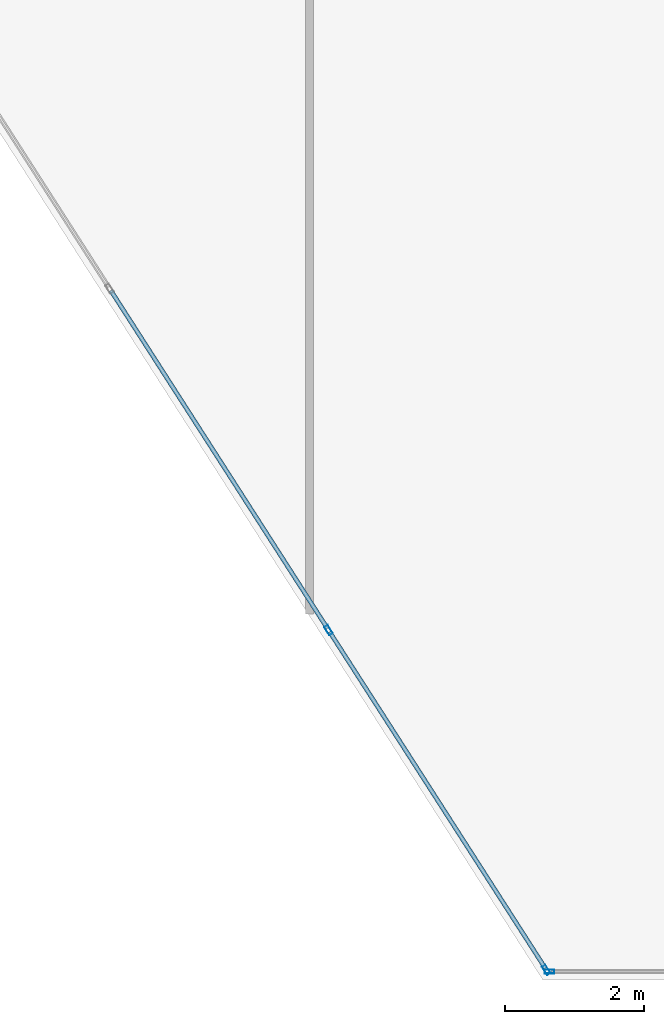
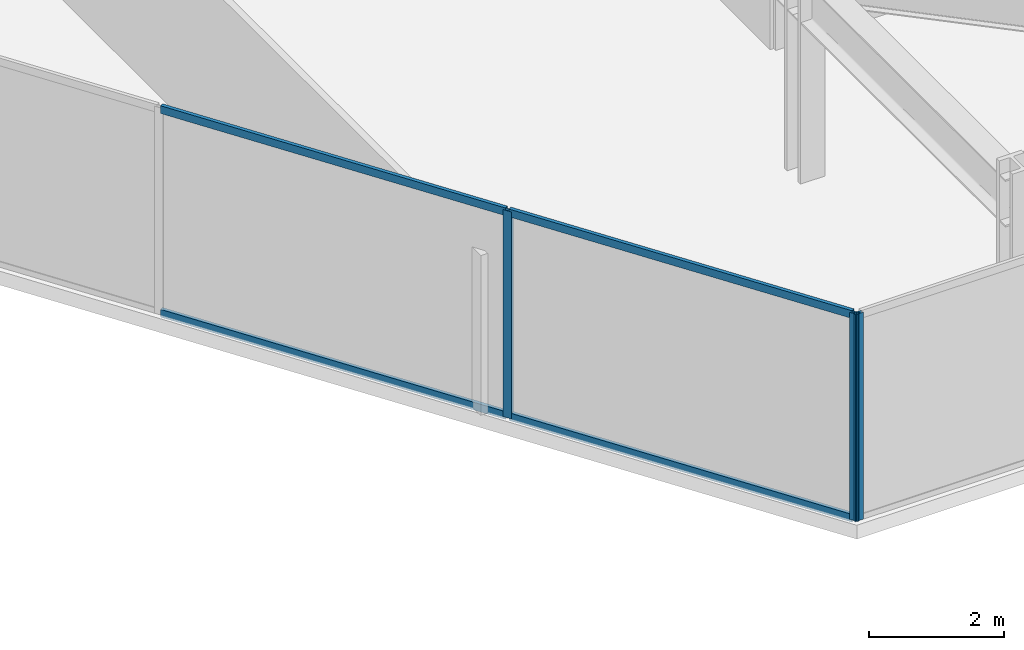
# One storey, part 15 of 26: 7 members, 2 elements without a shape of their own.
"""IFC4 building model written with IfcOpenShell, lengths in metres."""

from ifc_helpers import new_model, si_unit, direction, frame, origin, origin_2d, place, context, subcontext, project, spatial, hollow_rectangle, extrude, material, layer, layer_set, material_profile, profile_set, type_object, element, aggregate, save


model = new_model("IFC4")

# Units and contexts
model_context = context("Model", 3, precision=1e-05, world=origin(), true_north=direction((0.0, 1.0)))
body_context = subcontext(model_context, "Body", "Model", "MODEL_VIEW")
ifc_project = project(units=[si_unit("LENGTHUNIT", "METRE"), si_unit("AREAUNIT", "SQUARE_METRE"), si_unit("VOLUMEUNIT", "CUBIC_METRE"), si_unit("PLANEANGLEUNIT", "RADIAN"), si_unit("MASSUNIT", "GRAM", prefix="KILO")], contexts=[model_context])

# Site, building, storey
site_placement = place(None, origin())
site = spatial("IfcSite", under=ifc_project, at=site_placement, CompositionType="ELEMENT")
building_placement = place(site_placement, origin())
building = spatial("IfcBuilding", under=site, at=building_placement, Name="Kravanh Interchange Tower", CompositionType="ELEMENT")
storey_placement = place(building_placement, frame((0.0, 0.0, 108.0)))
storey = spatial("IfcBuildingStorey", under=building, at=storey_placement, Name="L25", CompositionType="ELEMENT", Elevation=108.0)

# Curtain wall, member
ifc_material_1 = material(Name="Anodised Bronze Aluminium", Category="aluminium")
ifc_layer = layer(ifc_material_1, 0.179931640625)
ifc_layer_set = layer_set([ifc_layer], Name="Unitised Curtain Wall System CW-Z2 Mid Office")
curtain_wall_type = type_object("IfcCurtainWallType", Name="Unitised Curtain Wall System CW-Z2 Mid Office", PredefinedType="NOTDEFINED", material=ifc_layer_set)
curtain_wall_1_placement = place(storey_placement, origin())
curtain_wall_1 = element("IfcCurtainWall", 1, at=curtain_wall_1_placement, inside=storey, type_object=curtain_wall_type, Name="L25 Unitised Curtain Wall CW-L25-03", PredefinedType="NOTDEFINED")
ifc_material_2 = material(Name="Anodised Bronze Aluminium", Category="aluminium")
ifc_material_profile_1 = material_profile(ifc_material_2, hollow_rectangle(XDim=0.06005859375, YDim=0.139892578125, WallThickness=0.00390625, at=origin_2d()), Name="ALU60X140X4")
ifc_profile_set_1 = profile_set([ifc_material_profile_1], Name="Anodised Bronze Aluminium")
member_type_1 = type_object("IfcMemberType", Name="Curtain Wall Mullion ALU60X140X4 Bronze", PredefinedType="MULLION", material=ifc_profile_set_1)
member_1_placement = place(storey_placement, frame((52.195556640625, 6.320068359375, 0.0), z_axis=(0.0, 0.0, 1.0), x_axis=(0.0, -1.0, 0.0)))
member_1 = element("IfcMember", 2, at=member_1_placement, type_object=member_type_1, Name="CW-Z2 mullion 3", PredefinedType="MULLION", context=body_context, shape_type="SweptSolid", body=[
    extrude(hollow_rectangle(XDim=0.06005859375, YDim=0.139892578125, WallThickness=0.00390625, at=origin_2d()), origin(), (0.0, 0.0, 1.0), 3.75),
])
aggregate(curtain_wall_1, [member_1])

# Curtain wall, members
curtain_wall_2_placement = place(storey_placement, origin())
curtain_wall_2 = element("IfcCurtainWall", 3, at=curtain_wall_2_placement, inside=storey, type_object=curtain_wall_type, Name="L25 Unitised Curtain Wall CW-L25-04", PredefinedType="NOTDEFINED")
member_2_placement = place(storey_placement, frame((52.1494140625, 6.34521484375, 0.0), z_axis=(0.0, 0.0, 1.0), x_axis=(-0.841879939476, -0.539664865919, 0.0)))
member_2 = element("IfcMember", 4, at=member_2_placement, type_object=member_type_1, Name="CW-Z2 mullion 1", PredefinedType="MULLION", context=body_context, shape_type="SweptSolid", body=[
    extrude(hollow_rectangle(XDim=0.06005859375, YDim=0.139892578125, WallThickness=0.00390625, at=origin_2d()), origin(), (0.0, 0.0, 1.0), 3.75),
])
member_3_placement = place(storey_placement, frame((49.024169921875, 11.220703125, 0.0), z_axis=(0.0, 0.0, 1.0), x_axis=(-0.841879939476, -0.539664865919, 0.0)))
member_3 = element("IfcMember", 5, at=member_3_placement, type_object=member_type_1, Name="CW-Z2 mullion 2", PredefinedType="MULLION", context=body_context, shape_type="SweptSolid", body=[
    extrude(hollow_rectangle(XDim=0.06005859375, YDim=0.139892578125, WallThickness=0.00390625, at=origin_2d()), origin(), (0.0, 0.0, 1.0), 3.75),
])
ifc_material_3 = material(Name="Anodised Bronze Aluminium", Category="aluminium")
ifc_material_profile_2 = material_profile(ifc_material_3, hollow_rectangle(XDim=0.06005859375, YDim=0.139892578125, WallThickness=0.00390625, at=origin_2d()), Name="ALU60X140X4")
ifc_profile_set_2 = profile_set([ifc_material_profile_2], Name="Anodised Bronze Aluminium")
member_type_2 = type_object("IfcMemberType", Name="Curtain Wall Transom ALU60X140X4 Bronze", PredefinedType="USERDEFINED", material=ifc_profile_set_2)
member_4_placement = place(storey_placement, frame((52.13330078125, 6.37060546875, 0.030029296875), z_axis=(-0.539697855812, 0.841858791266, 0.0), x_axis=(-0.841858791266, -0.539697855812, 0.0)))
member_4 = element("IfcMember", 6, at=member_4_placement, type_object=member_type_2, Name="CW-Z2 transom 1.1", ObjectType="TRANSOM", PredefinedType="USERDEFINED", context=body_context, shape_type="SweptSolid", body=[
    extrude(hollow_rectangle(XDim=0.06005859375, YDim=0.139892578125, WallThickness=0.00390625, at=origin_2d()), origin(), (0.0, 0.0, 1.0), 5.73095703125),
])
member_5_placement = place(storey_placement, frame((52.13330078125, 6.37060546875, 3.719970703125), z_axis=(-0.539697855812, 0.841858791266, 0.0), x_axis=(-0.841858791266, -0.539697855812, 0.0)))
member_5 = element("IfcMember", 7, at=member_5_placement, type_object=member_type_2, Name="CW-Z2 transom 1.2", ObjectType="TRANSOM", PredefinedType="USERDEFINED", context=body_context, shape_type="SweptSolid", body=[
    extrude(hollow_rectangle(XDim=0.06005859375, YDim=0.139892578125, WallThickness=0.00390625, at=origin_2d()), origin(), (0.0, 0.0, 1.0), 5.73095703125),
])
member_6_placement = place(storey_placement, frame((49.008056640625, 11.245849609375, 0.030029296875), z_axis=(-0.539677666788, 0.84187173368, 0.0), x_axis=(-0.84187173368, -0.539677666788, 0.0)))
member_6 = element("IfcMember", 8, at=member_6_placement, type_object=member_type_2, Name="CW-Z2 transom 2.1", ObjectType="TRANSOM", PredefinedType="USERDEFINED", context=body_context, shape_type="SweptSolid", body=[
    extrude(hollow_rectangle(XDim=0.06005859375, YDim=0.139892578125, WallThickness=0.00390625, at=origin_2d()), origin(), (0.0, 0.0, 1.0), 5.760986328125),
])
member_7_placement = place(storey_placement, frame((49.008056640625, 11.245849609375, 3.719970703125), z_axis=(-0.539677666788, 0.84187173368, 0.0), x_axis=(-0.84187173368, -0.539677666788, 0.0)))
member_7 = element("IfcMember", 9, at=member_7_placement, type_object=member_type_2, Name="CW-Z2 transom 2.2", ObjectType="TRANSOM", PredefinedType="USERDEFINED", context=body_context, shape_type="SweptSolid", body=[
    extrude(hollow_rectangle(XDim=0.06005859375, YDim=0.139892578125, WallThickness=0.00390625, at=origin_2d()), origin(), (0.0, 0.0, 1.0), 5.760986328125),
])
aggregate(curtain_wall_2, [member_2, member_3, member_4, member_5, member_6, member_7])

save(model, "model.ifc")
